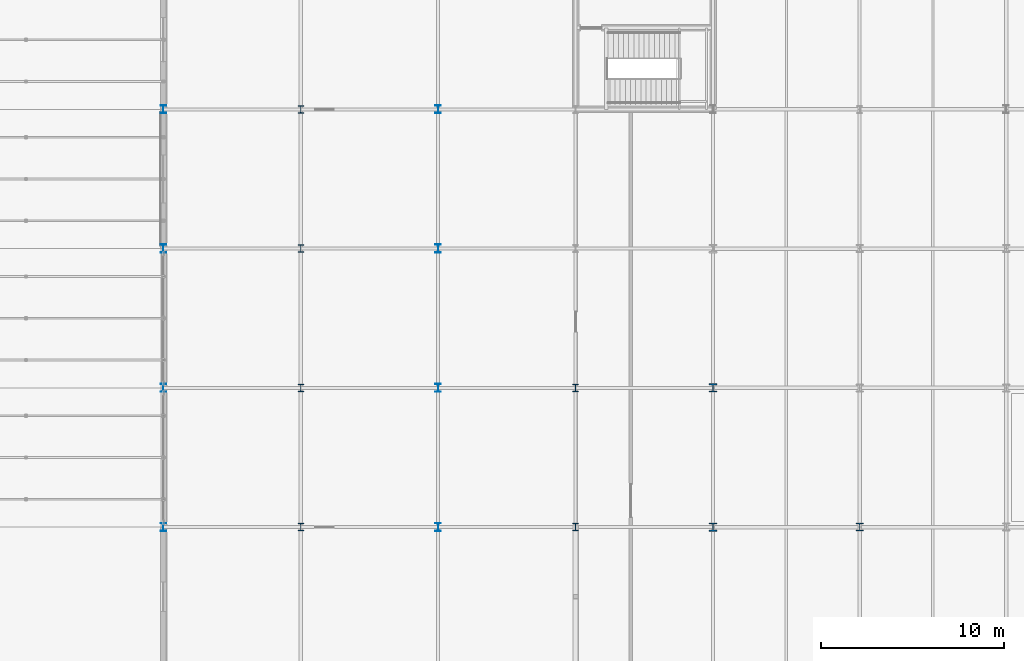
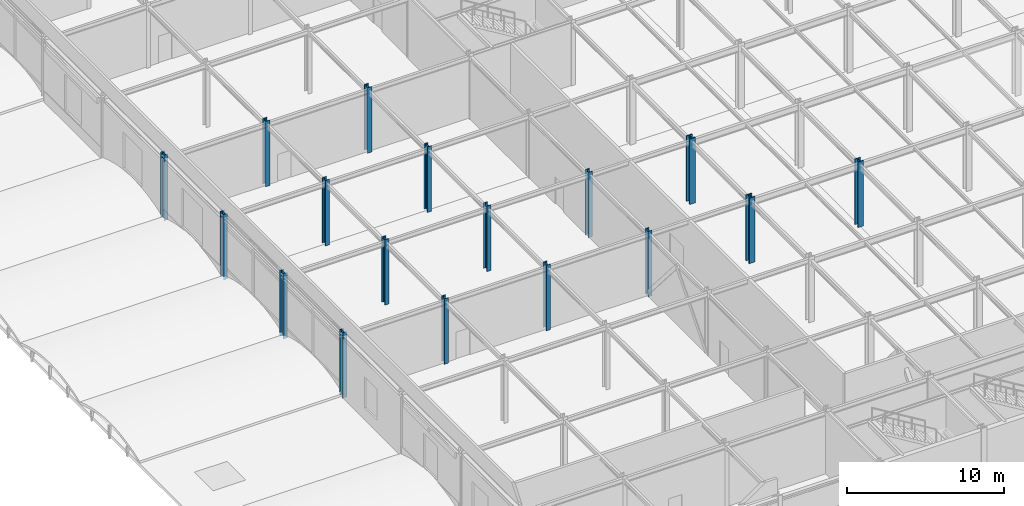
# One storey, part 3 of 113: 17 columns.
"""IFC4 building model written with IfcOpenShell, lengths in metres."""

from ifc_helpers import new_model, si_unit, direction, frame, origin, origin_2d, place, context, subcontext, project, spatial, i_section, extrude, material, material_profile, profile_set, type_object, element, save


model = new_model("IFC4")

# Units and contexts
model_context = context("Model", 3, precision=1e-05, world=origin(), true_north=direction((0.0, 1.0)))
body_context = subcontext(model_context, "Body", "Model", "MODEL_VIEW")
ifc_project = project(units=[si_unit("LENGTHUNIT", "METRE"), si_unit("AREAUNIT", "SQUARE_METRE"), si_unit("VOLUMEUNIT", "CUBIC_METRE"), si_unit("PLANEANGLEUNIT", "RADIAN"), si_unit("MASSUNIT", "GRAM", prefix="KILO")], contexts=[model_context])

# Site, building, storey
site_placement = place(None, origin())
site = spatial("IfcSite", under=ifc_project, at=site_placement, CompositionType="ELEMENT")
building_placement = place(site_placement, origin())
building = spatial("IfcBuilding", under=site, at=building_placement, Name="Shalkamar Park Central Library", CompositionType="ELEMENT")
storey_placement = place(building_placement, frame((0.0, 0.0, 5.39990234375)))
storey = spatial("IfcBuildingStorey", under=building, at=storey_placement, Name="L02", CompositionType="ELEMENT", Elevation=5.39990234375)

# Columns
ifc_material = material(Name="Steel S355", Category="steel")
ifc_material_profile_1 = material_profile(ifc_material, i_section(OverallWidth=0.412109375, OverallDepth=0.43505859375, WebThickness=0.035888671875, FlangeThickness=0.057373046875, FilletRadius=0.014892578125, at=origin_2d()), Name="HD 400x463")
ifc_profile_set_1 = profile_set([ifc_material_profile_1], Name="Steel S355")
column_type_1 = type_object("IfcColumnType", Name="Column Steel HD400x463", PredefinedType="COLUMN", material=ifc_profile_set_1)
column_placement = place(storey_placement, frame((173.0, 278.0, 0.0), z_axis=(0.0, 0.0, 1.0), x_axis=(1.0, 0.0, 0.0)))
element("IfcColumn", 1, at=column_placement, inside=storey, type_object=column_type_1, Name="Column 08/F (L02)", PredefinedType="COLUMN", context=body_context, shape_type="SweptSolid", body=[
    extrude(i_section(OverallWidth=0.412109375, OverallDepth=0.43505859375, WebThickness=0.035888671875, FlangeThickness=0.057373046875, FilletRadius=0.014892578125, at=origin_2d()), origin(), (0.0, 0.0, 1.0), 5.10009765625),
])
ifc_material_profile_2 = material_profile(ifc_material, i_section(OverallWidth=0.41796875, OverallDepth=0.455078125, WebThickness=0.0419921875, FlangeThickness=0.067626953125, FilletRadius=0.014892578125, at=origin_2d()), Name="HD 400x551")
ifc_profile_set_2 = profile_set([ifc_material_profile_2], Name="Steel S355")
column_type_2 = type_object("IfcColumnType", Name="Column Steel HD400x551", PredefinedType="COLUMN", material=ifc_profile_set_2)
for number, where, z_axis, x_axis, name in (
    (2, (165.0, 278.0, 0.0), (0.0, 0.0, 1.0), (1.0, 0.0, 0.0), "Column 07/F (L02)"),
    (3, (165.0, 285.60009765625, 0.0), (0.0, 0.0, 1.0), (1.0, 0.0, 0.0), "Column 07/G (L02)"),
):
    element("IfcColumn", number, at=place(storey_placement, frame(where, z_axis=z_axis, x_axis=x_axis)), inside=storey, type_object=column_type_2, Name=name, PredefinedType="COLUMN", context=body_context, shape_type="SweptSolid", body=[
        extrude(i_section(OverallWidth=0.41796875, OverallDepth=0.455078125, WebThickness=0.0419921875, FlangeThickness=0.067626953125, FilletRadius=0.014892578125, at=origin_2d()), origin(), (0.0, 0.0, 1.0), 5.10009765625),
    ])
ifc_material_profile_3 = material_profile(ifc_material, i_section(OverallWidth=0.300048828125, OverallDepth=0.39990234375, WebThickness=0.013427734375, FlangeThickness=0.02392578125, FilletRadius=0.027099609375, at=origin_2d()), Name="HEB 400")
ifc_profile_set_3 = profile_set([ifc_material_profile_3], Name="Steel S355")
column_type_3 = type_object("IfcColumnType", Name="Column Steel HEB400", PredefinedType="COLUMN", material=ifc_profile_set_3)
for number, where, z_axis, x_axis, name in (
    (4, (142.5, 278.0, 0.0), (0.0, 0.0, 1.0), (1.0, 0.0, 0.0), "Column 04/F (L02)"),
    (5, (142.5, 285.60009765625, 0.0), (0.0, 0.0, 1.0), (1.0, 0.0, 0.0), "Column 04/G (L02)"),
    (6, (142.5, 293.199951171875, 0.0), (0.0, 0.0, 1.0), (1.0, 0.0, 0.0), "Column 04/H (L02)"),
    (7, (142.5, 300.800048828125, 0.0), (0.0, 0.0, 1.0), (1.0, 0.0, 0.0), "Column 04/J (L02)"),
    (8, (157.5, 278.0, 0.0), (0.0, 0.0, 1.0), (1.0, 0.0, 0.0), "Column 06/F (L02)"),
    (9, (157.5, 285.60009765625, 0.0), (0.0, 0.0, 1.0), (1.0, 0.0, 0.0), "Column 06/G (L02)"),
):
    element("IfcColumn", number, at=place(storey_placement, frame(where, z_axis=z_axis, x_axis=x_axis)), inside=storey, type_object=column_type_3, Name=name, PredefinedType="COLUMN", context=body_context, shape_type="SweptSolid", body=[
        extrude(i_section(OverallWidth=0.300048828125, OverallDepth=0.39990234375, WebThickness=0.013427734375, FlangeThickness=0.02392578125, FilletRadius=0.027099609375, at=origin_2d()), origin(), (0.0, 0.0, 1.0), 5.10009765625),
    ])
ifc_material_profile_4 = material_profile(ifc_material, i_section(OverallWidth=0.300048828125, OverallDepth=0.449951171875, WebThickness=0.013916015625, FlangeThickness=0.02587890625, FilletRadius=0.027099609375, at=origin_2d()), Name="HEB 450")
ifc_profile_set_4 = profile_set([ifc_material_profile_4], Name="Steel S355")
column_type_4 = type_object("IfcColumnType", Name="Column Steel HEB450", PredefinedType="COLUMN", material=ifc_profile_set_4)
for number, where, z_axis, x_axis, name in (
    (10, (135.0, 278.0, 0.0), (0.0, 0.0, 1.0), (1.0, 0.0, 0.0), "Column 03/F (L02)"),
    (11, (135.0, 285.60009765625, 0.0), (0.0, 0.0, 1.0), (1.0, 0.0, 0.0), "Column 03/G (L02)"),
    (12, (135.0, 293.199951171875, 0.0), (0.0, 0.0, 1.0), (1.0, 0.0, 0.0), "Column 03/H (L02)"),
    (13, (135.0, 300.800048828125, 0.0), (0.0, 0.0, 1.0), (1.0, 0.0, 0.0), "Column 03/J (L02)"),
    (14, (150.0, 278.0, 0.0), (0.0, 0.0, 1.0), (1.0, 0.0, 0.0), "Column 05/F (L02)"),
    (15, (150.0, 285.60009765625, 0.0), (0.0, 0.0, 1.0), (1.0, 0.0, 0.0), "Column 05/G (L02)"),
    (16, (150.0, 293.199951171875, 0.0), (0.0, 0.0, 1.0), (1.0, 0.0, 0.0), "Column 05/H (L02)"),
    (17, (150.0, 300.800048828125, 0.0), (0.0, 0.0, 1.0), (1.0, 0.0, 0.0), "Column 05/J (L02)"),
):
    element("IfcColumn", number, at=place(storey_placement, frame(where, z_axis=z_axis, x_axis=x_axis)), inside=storey, type_object=column_type_4, Name=name, PredefinedType="COLUMN", context=body_context, shape_type="SweptSolid", body=[
        extrude(i_section(OverallWidth=0.300048828125, OverallDepth=0.449951171875, WebThickness=0.013916015625, FlangeThickness=0.02587890625, FilletRadius=0.027099609375, at=origin_2d()), origin(), (0.0, 0.0, 1.0), 5.10009765625),
    ])

save(model, "model.ifc")
